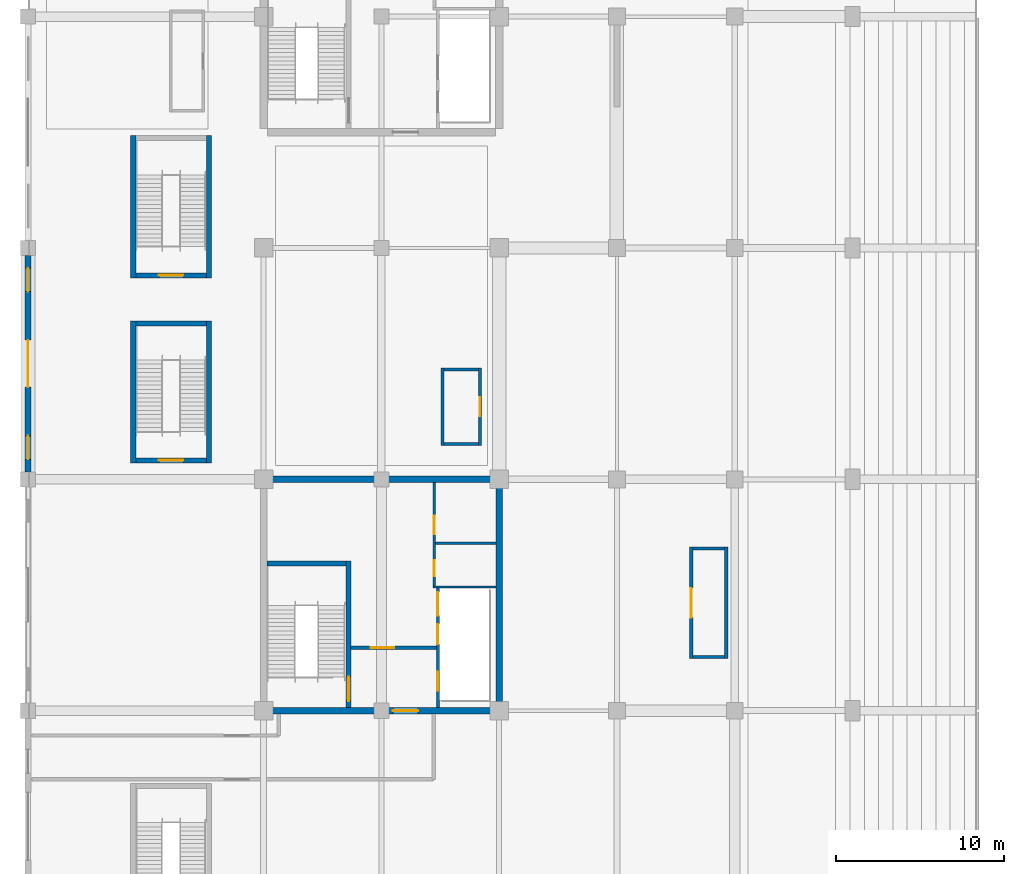
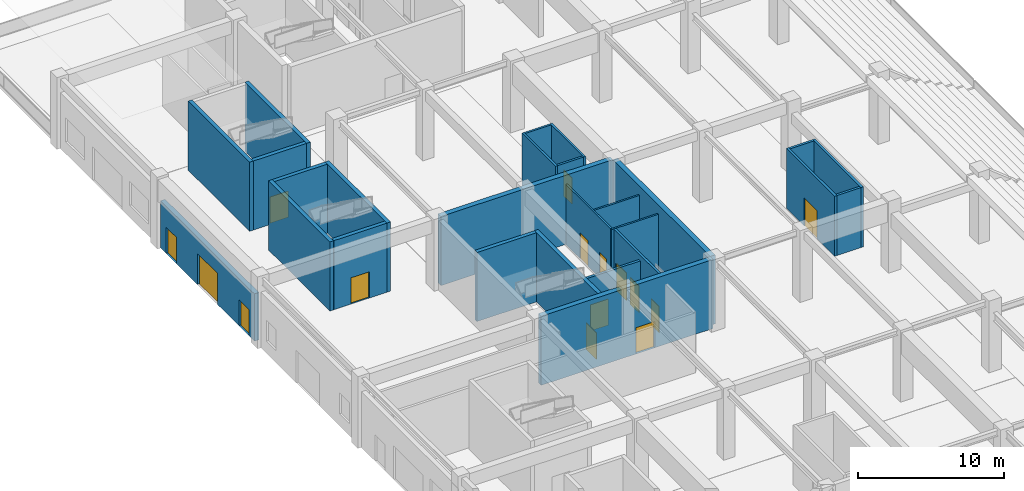
# One storey, part 42 of 73: 26 walls, 15 doors, 15 openings.
"""IFC4 building model written with IfcOpenShell, lengths in metres."""

from ifc_helpers import new_model, si_unit, direction, frame, frame_2d, origin, place, context, subcontext, project, spatial, rectangle, extrude, material, layer, layer_set, type_object, element, fill, save


model = new_model("IFC4")

# Units and contexts
model_context = context("Model", 3, precision=1e-05, world=origin(), true_north=direction((0.0, 1.0)))
body_context = subcontext(model_context, "Body", "Model", "MODEL_VIEW")
ifc_project = project(units=[si_unit("LENGTHUNIT", "METRE"), si_unit("AREAUNIT", "SQUARE_METRE"), si_unit("VOLUMEUNIT", "CUBIC_METRE"), si_unit("PLANEANGLEUNIT", "RADIAN"), si_unit("MASSUNIT", "GRAM", prefix="KILO")], contexts=[model_context])

# Site, building, storey
site_placement = place(None, origin())
site = spatial("IfcSite", under=ifc_project, at=site_placement, CompositionType="ELEMENT")
building_placement = place(site_placement, origin())
building = spatial("IfcBuilding", under=site, at=building_placement, Name="Linyun Crest Stadium", CompositionType="ELEMENT")
storey_placement = place(building_placement, origin())
storey = spatial("IfcBuildingStorey", under=building, at=storey_placement, Name="L01", CompositionType="ELEMENT", Elevation=0.0)

# Wall
ifc_material_1 = material(Name="Concrete C50", Category="concrete")
ifc_layer_1 = layer(ifc_material_1, 0.39990234375)
ifc_layer_set_1 = layer_set([ifc_layer_1], Name="Concrete C50")
wall_type_1 = type_object("IfcWallType", Name="CW02", PredefinedType="SHEAR", material=ifc_layer_set_1)
wall_1_placement = place(storey_placement, frame((-70.0, 2.324951171875, 0.0), z_axis=(0.0, 0.0, 1.0), x_axis=(0.0, 1.0, 0.0)))
element("IfcWall", 1, at=wall_1_placement, inside=storey, type_object=wall_type_1, Name="Core shear wall CW02 CORE-W2 L01.2", PredefinedType="SHEAR", context=body_context, shape_type="SweptSolid", body=[
    extrude(rectangle(XDim=13.35009765625, YDim=0.39990234375, at=frame_2d((6.675048828125, 0.0))), origin(), (0.0, 0.0, 1.0), 5.780029296875),
])

# Wall, opening, door
wall_2_placement = place(storey_placement, frame((-83.800048828125, 2.125, 0.0), z_axis=(0.0, 0.0, 1.0), x_axis=(1.0, 0.0, 0.0)))
wall_2 = element("IfcWall", 2, at=wall_2_placement, inside=storey, type_object=wall_type_1, Name="Core shear wall CW02 CORE-W2 L01.3", PredefinedType="SHEAR", context=body_context, shape_type="SweptSolid", body=[
    extrude(rectangle(XDim=13.60009765625, YDim=0.39990234375, at=frame_2d((6.800048828125, 0.0))), origin(), (0.0, 0.0, 1.0), 5.780029296875),
])
opening_1_placement = place(wall_2_placement, frame((7.47998046875, 0.0, 0.0)))
opening_1 = element("IfcOpeningElement", 3, at=opening_1_placement, cuts=wall_2, Name="Opening D-L01-058", PredefinedType="OPENING", context=body_context, shape_type="SweptSolid", body=[
    extrude(rectangle(XDim=1.5, YDim=2.199951171875, at=frame_2d((0.75, 1.10009765625))), frame((0.0, 0.2099609375, 0.0), z_axis=(0.0, -1.0, 0.0), x_axis=(1.0, 0.0, 0.0)), (0.0, 0.0, 1.0), 0.419921875),
])
ifc_material_2 = material(Name="Galvanized steel Class A fire door", Category="steel")
ifc_layer_2 = layer(ifc_material_2, 0.054931640625)
ifc_layer_set_2 = layer_set([ifc_layer_2], Name="Galvanized steel Class A fire door")
door_type_1 = type_object("IfcDoorType", Name="FD01", OperationType="NOTDEFINED", PredefinedType="DOOR", material=ifc_layer_set_2)
door_1_placement = place(opening_1_placement, origin())
door_1 = element("IfcDoor", 4, at=door_1_placement, inside=storey, type_object=door_type_1, Name="Door D-L01-058", OperationType="SINGLE_SWING_RIGHT", OverallHeight=2.199951171875, OverallWidth=1.5, PredefinedType="DOOR", context=body_context, shape_type="SweptSolid", body=[
    extrude(rectangle(XDim=1.5, YDim=2.199951171875, at=frame_2d((0.75, 1.10009765625))), frame((0.0, 0.02490234375, 0.0), z_axis=(0.0, -1.0, 0.0), x_axis=(1.0, 0.0, 0.0)), (0.0, 0.0, 1.0), 0.050048828125),
])
fill(opening_1, door_1)

# Wall
wall_3_placement = place(storey_placement, frame((-83.800048828125, 15.875, 0.0), z_axis=(0.0, 0.0, 1.0), x_axis=(1.0, 0.0, 0.0)))
element("IfcWall", 5, at=wall_3_placement, inside=storey, type_object=wall_type_1, Name="Core shear wall CW02 CORE-W2 L01.4", PredefinedType="SHEAR", context=body_context, shape_type="SweptSolid", body=[
    extrude(rectangle(XDim=13.60009765625, YDim=0.39990234375, at=frame_2d((6.800048828125, 0.0))), origin(), (0.0, 0.0, 1.0), 5.780029296875),
])

# Wall, openings, doors
ifc_material_3 = material(Name="Precast concrete C40 architectural plinth panel", Category="concrete")
ifc_layer_3 = layer(ifc_material_3, 0.360107421875)
ifc_layer_set_3 = layer_set([ifc_layer_3], Name="Precast concrete C40 architectural plinth panel")
wall_type_2 = type_object("IfcWallType", Name="EW06", PredefinedType="SOLIDWALL", material=ifc_layer_set_3)
wall_4_placement = place(storey_placement, frame((-98.0, 16.31494140625, 0.0), z_axis=(0.0, 0.0, 1.0), x_axis=(0.0, 1.0, 0.0)))
wall_4 = element("IfcWall", 6, at=wall_4_placement, inside=storey, type_object=wall_type_2, Name="Exterior wall EW06 L01 18", PredefinedType="SOLIDWALL", context=body_context, shape_type="SweptSolid", body=[
    extrude(rectangle(XDim=12.8701171875, YDim=0.360107421875, at=frame_2d((6.43505859375, 0.0))), origin(), (0.0, 0.0, 1.0), 3.955078125),
])
opening_2_placement = place(wall_4_placement, frame((5.034912109375, 0.0, 0.0)))
opening_2 = element("IfcOpeningElement", 7, at=opening_2_placement, cuts=wall_4, Name="Opening G03", PredefinedType="OPENING", context=body_context, shape_type="SweptSolid", body=[
    extrude(rectangle(XDim=2.800048828125, YDim=2.60009765625, at=frame_2d((1.39990234375, 1.300048828125))), frame((0.0, 0.18994140625, 0.0), z_axis=(0.0, -1.0, 0.0), x_axis=(1.0, 0.0, 0.0)), (0.0, 0.0, 1.0), 0.380126953125),
])
opening_3_placement = place(wall_4_placement, frame((0.75, 0.0, 0.0)))
opening_3 = element("IfcOpeningElement", 8, at=opening_3_placement, cuts=wall_4, Name="Opening E-ST16", PredefinedType="OPENING", context=body_context, shape_type="SweptSolid", body=[
    extrude(rectangle(XDim=1.39990234375, YDim=2.199951171875, at=frame_2d((0.699951171875, 1.10009765625))), frame((0.0, 0.18994140625, 0.0), z_axis=(0.0, -1.0, 0.0), x_axis=(1.0, 0.0, 0.0)), (0.0, 0.0, 1.0), 0.380126953125),
])
opening_4_placement = place(wall_4_placement, frame((10.719970703125, 0.0, 0.0)))
opening_4 = element("IfcOpeningElement", 9, at=opening_4_placement, cuts=wall_4, Name="Opening E-ST17", PredefinedType="OPENING", context=body_context, shape_type="SweptSolid", body=[
    extrude(rectangle(XDim=1.39990234375, YDim=2.199951171875, at=frame_2d((0.699951171875, 1.10009765625))), frame((0.0, 0.18994140625, 0.0), z_axis=(0.0, -1.0, 0.0), x_axis=(1.0, 0.0, 0.0)), (0.0, 0.0, 1.0), 0.380126953125),
])
ifc_material_4 = material(Name="Galvanized fire-rated steel leaf", Category="steel")
ifc_layer_4 = layer(ifc_material_4, 0.054931640625)
ifc_layer_set_4 = layer_set([ifc_layer_4], Name="Galvanized fire-rated steel leaf")
door_type_2 = type_object("IfcDoorType", Name="FD09", OperationType="NOTDEFINED", PredefinedType="DOOR", material=ifc_layer_set_4)
door_2_placement = place(opening_3_placement, origin())
door_2 = element("IfcDoor", 10, at=door_2_placement, inside=storey, type_object=door_type_2, Name="Stair discharge exit E-ST16", OperationType="SINGLE_SWING_RIGHT", OverallHeight=2.199951171875, OverallWidth=1.39990234375, PredefinedType="DOOR", context=body_context, shape_type="SweptSolid", body=[
    extrude(rectangle(XDim=1.39990234375, YDim=2.199951171875, at=frame_2d((0.699951171875, 1.10009765625))), frame((0.0, 0.02490234375, 0.0), z_axis=(0.0, -1.0, 0.0), x_axis=(1.0, 0.0, 0.0)), (0.0, 0.0, 1.0), 0.050048828125),
])
fill(opening_3, door_2)
door_3_placement = place(opening_4_placement, origin())
door_3 = element("IfcDoor", 11, at=door_3_placement, inside=storey, type_object=door_type_2, Name="Stair discharge exit E-ST17", OperationType="SINGLE_SWING_LEFT", OverallHeight=2.199951171875, OverallWidth=1.39990234375, PredefinedType="DOOR", context=body_context, shape_type="SweptSolid", body=[
    extrude(rectangle(XDim=1.39990234375, YDim=2.199951171875, at=frame_2d((0.699951171875, 1.10009765625))), frame((0.0, 0.02490234375, 0.0), z_axis=(0.0, -1.0, 0.0), x_axis=(1.0, 0.0, 0.0)), (0.0, 0.0, 1.0), 0.050048828125),
])
fill(opening_4, door_3)
ifc_material_5 = material(Name="Verdigris painted steel botanical gate", Category="steel")
ifc_layer_5 = layer(ifc_material_5, 0.054931640625)
ifc_layer_set_5 = layer_set([ifc_layer_5], Name="Verdigris painted steel botanical gate")
door_type_3 = type_object("IfcDoorType", Name="GD03", OperationType="NOTDEFINED", PredefinedType="DOOR", material=ifc_layer_set_5)
door_4_placement = place(opening_2_placement, origin())
door_4 = element("IfcDoor", 12, at=door_4_placement, inside=storey, type_object=door_type_3, Name="Pedestrian exit gate G03", OperationType="DOUBLE_DOOR_SINGLE_SWING", OverallHeight=2.60009765625, OverallWidth=2.800048828125, PredefinedType="DOOR", context=body_context, shape_type="SweptSolid", body=[
    extrude(rectangle(XDim=2.800048828125, YDim=2.60009765625, at=frame_2d((1.39990234375, 1.300048828125))), frame((0.0, 0.02490234375, 0.0), z_axis=(0.0, -1.0, 0.0), x_axis=(1.0, 0.0, 0.0)), (0.0, 0.0, 1.0), 0.050048828125),
])
fill(opening_2, door_4)

# Wall, opening, door
ifc_material_6 = material(Name="Autoclaved aerated concrete block with fireboard", Category="concrete")
ifc_layer_6 = layer(ifc_material_6, 0.199951171875)
ifc_layer_set_6 = layer_set([ifc_layer_6], Name="Autoclaved aerated concrete block with fireboard")
wall_type_3 = type_object("IfcWallType", Name="PW11", PredefinedType="PARTITIONING", material=ifc_layer_set_6)
wall_5_placement = place(storey_placement, frame((-78.800048828125, 5.875, 0.0), z_axis=(0.0, 0.0, 1.0), x_axis=(1.0, 0.0, 0.0)))
wall_5 = element("IfcWall", 13, at=wall_5_placement, inside=storey, type_object=wall_type_3, Name="Partition PW11 L01 25", PredefinedType="PARTITIONING", context=body_context, shape_type="SweptSolid", body=[
    extrude(rectangle(XDim=5.06005859375, YDim=0.199951171875, at=frame_2d((2.530029296875, 0.0))), origin(), (0.0, 0.0, 1.0), 4.554931640625),
])
opening_5_placement = place(wall_5_placement, frame((1.169921875, 0.0, 0.0)))
opening_5 = element("IfcOpeningElement", 14, at=opening_5_placement, cuts=wall_5, Name="Opening D-L01-060", PredefinedType="OPENING", context=body_context, shape_type="SweptSolid", body=[
    extrude(rectangle(XDim=1.39990234375, YDim=2.199951171875, at=frame_2d((0.699951171875, 1.10009765625))), frame((0.0, 0.10986328125, 0.0), z_axis=(0.0, -1.0, 0.0), x_axis=(1.0, 0.0, 0.0)), (0.0, 0.0, 1.0), 0.219970703125),
])
ifc_material_7 = material(Name="Galvanized steel Class B fire door", Category="steel")
ifc_layer_7 = layer(ifc_material_7, 0.054931640625)
ifc_layer_set_7 = layer_set([ifc_layer_7], Name="Galvanized steel Class B fire door")
door_type_4 = type_object("IfcDoorType", Name="FD03", OperationType="NOTDEFINED", PredefinedType="DOOR", material=ifc_layer_set_7)
door_5_placement = place(opening_5_placement, origin())
door_5 = element("IfcDoor", 15, at=door_5_placement, inside=storey, type_object=door_type_4, Name="Door D-L01-060", OperationType="SINGLE_SWING_RIGHT", OverallHeight=2.199951171875, OverallWidth=1.39990234375, PredefinedType="DOOR", context=body_context, shape_type="SweptSolid", body=[
    extrude(rectangle(XDim=1.39990234375, YDim=2.199951171875, at=frame_2d((0.699951171875, 1.10009765625))), frame((0.0, 0.02490234375, 0.0), z_axis=(0.0, -1.0, 0.0), x_axis=(1.0, 0.0, 0.0)), (0.0, 0.0, 1.0), 0.050048828125),
])
fill(opening_5, door_5)

# Wall, openings, doors
ifc_material_8 = material(Name="Autoclaved aerated concrete block fire partition", Category="concrete")
ifc_layer_8 = layer(ifc_material_8, 0.179931640625)
ifc_layer_set_8 = layer_set([ifc_layer_8], Name="Autoclaved aerated concrete block fire partition")
wall_type_4 = type_object("IfcWallType", Name="PW12", PredefinedType="PARTITIONING", material=ifc_layer_set_8)
wall_6_placement = place(storey_placement, frame((-73.64990234375, 2.324951171875, 0.0), z_axis=(0.0, 0.0, 1.0), x_axis=(0.0, 1.0, 0.0)))
wall_6 = element("IfcWall", 16, at=wall_6_placement, inside=storey, type_object=wall_type_4, Name="Partition PW12 L01 26", PredefinedType="PARTITIONING", context=body_context, shape_type="SweptSolid", body=[
    extrude(rectangle(XDim=7.080078125, YDim=0.179931640625, at=frame_2d((3.5400390625, 0.0))), origin(), (0.0, 0.0, 1.0), 5.02001953125),
])
opening_6_placement = place(wall_6_placement, frame((1.0, 0.0, 0.0)))
opening_6 = element("IfcOpeningElement", 17, at=opening_6_placement, cuts=wall_6, Name="Opening LD018", PredefinedType="OPENING", context=body_context, shape_type="SweptSolid", body=[
    extrude(rectangle(XDim=1.10009765625, YDim=2.199951171875, at=frame_2d((0.550048828125, 1.10009765625))), frame((0.0, 0.099853515625, 0.0), z_axis=(0.0, -1.0, 0.0), x_axis=(1.0, 0.0, 0.0)), (0.0, 0.0, 1.0), 0.199951171875),
])
opening_7_placement = place(wall_6_placement, frame((3.75, 0.0, 0.0)))
opening_7 = element("IfcOpeningElement", 18, at=opening_7_placement, cuts=wall_6, Name="Opening LD019", PredefinedType="OPENING", context=body_context, shape_type="SweptSolid", body=[
    extrude(rectangle(XDim=1.199951171875, YDim=2.25, at=frame_2d((0.60009765625, 1.125))), frame((0.0, 0.099853515625, 0.0), z_axis=(0.0, -1.0, 0.0), x_axis=(1.0, 0.0, 0.0)), (0.0, 0.0, 1.0), 0.199951171875),
])
opening_8_placement = place(wall_6_placement, frame((5.449951171875, 0.0, 0.0)))
opening_8 = element("IfcOpeningElement", 19, at=opening_8_placement, cuts=wall_6, Name="Opening LD020", PredefinedType="OPENING", context=body_context, shape_type="SweptSolid", body=[
    extrude(rectangle(XDim=1.39990234375, YDim=2.300048828125, at=frame_2d((0.699951171875, 1.14990234375))), frame((0.0, 0.099853515625, 0.0), z_axis=(0.0, -1.0, 0.0), x_axis=(1.0, 0.0, 0.0)), (0.0, 0.0, 1.0), 0.199951171875),
])
ifc_material_9 = material(Name="Brushed stainless sliding lift door")
ifc_layer_9 = layer(ifc_material_9, 0.050048828125)
ifc_layer_set_9 = layer_set([ifc_layer_9], Name="Brushed stainless sliding lift door")
door_type_5 = type_object("IfcDoorType", Name="LD01", OperationType="NOTDEFINED", PredefinedType="DOOR", material=ifc_layer_set_9)
door_6_placement = place(opening_6_placement, origin())
door_6 = element("IfcDoor", 20, at=door_6_placement, inside=storey, type_object=door_type_5, Name="Lift landing door LD018", OperationType="DOUBLE_DOOR_SLIDING", OverallHeight=2.199951171875, OverallWidth=1.10009765625, PredefinedType="DOOR", context=body_context, shape_type="SweptSolid", body=[
    extrude(rectangle(XDim=1.10009765625, YDim=2.199951171875, at=frame_2d((0.550048828125, 1.10009765625))), frame((0.0, 0.02490234375, 0.0), z_axis=(0.0, -1.0, 0.0), x_axis=(1.0, 0.0, 0.0)), (0.0, 0.0, 1.0), 0.050048828125),
])
fill(opening_6, door_6)
ifc_material_10 = material(Name="Brushed stainless sliding lift door")
ifc_layer_10 = layer(ifc_material_10, 0.050048828125)
ifc_layer_set_10 = layer_set([ifc_layer_10], Name="Brushed stainless sliding lift door")
door_type_6 = type_object("IfcDoorType", Name="LD02", OperationType="NOTDEFINED", PredefinedType="DOOR", material=ifc_layer_set_10)
door_7_placement = place(opening_7_placement, origin())
door_7 = element("IfcDoor", 21, at=door_7_placement, inside=storey, type_object=door_type_6, Name="Lift landing door LD019", OperationType="DOUBLE_DOOR_SLIDING", OverallHeight=2.25, OverallWidth=1.199951171875, PredefinedType="DOOR", context=body_context, shape_type="SweptSolid", body=[
    extrude(rectangle(XDim=1.199951171875, YDim=2.25, at=frame_2d((0.60009765625, 1.125))), frame((0.0, 0.02490234375, 0.0), z_axis=(0.0, -1.0, 0.0), x_axis=(1.0, 0.0, 0.0)), (0.0, 0.0, 1.0), 0.050048828125),
])
fill(opening_7, door_7)
ifc_material_11 = material(Name="Heavy-duty stainless sliding door")
ifc_layer_11 = layer(ifc_material_11, 0.054931640625)
ifc_layer_set_11 = layer_set([ifc_layer_11], Name="Heavy-duty stainless sliding door")
door_type_7 = type_object("IfcDoorType", Name="LD03", OperationType="NOTDEFINED", PredefinedType="DOOR", material=ifc_layer_set_11)
door_8_placement = place(opening_8_placement, origin())
door_8 = element("IfcDoor", 22, at=door_8_placement, inside=storey, type_object=door_type_7, Name="Lift landing door LD020", OperationType="DOUBLE_DOOR_SLIDING", OverallHeight=2.300048828125, OverallWidth=1.39990234375, PredefinedType="DOOR", context=body_context, shape_type="SweptSolid", body=[
    extrude(rectangle(XDim=1.39990234375, YDim=2.300048828125, at=frame_2d((0.699951171875, 1.14990234375))), frame((0.0, 0.02490234375, 0.0), z_axis=(0.0, -1.0, 0.0), x_axis=(1.0, 0.0, 0.0)), (0.0, 0.0, 1.0), 0.050048828125),
])
fill(opening_8, door_8)

# Wall, opening, door
ifc_material_12 = material(Name="Double steel-stud acoustic fire partition", Category="steel")
ifc_layer_12 = layer(ifc_material_12, 0.1650390625)
ifc_layer_set_12 = layer_set([ifc_layer_12], Name="Double steel-stud acoustic fire partition")
wall_type_5 = type_object("IfcWallType", Name="PW13", PredefinedType="PARTITIONING", material=ifc_layer_set_12)
wall_7_placement = place(storey_placement, frame((-71.14306640625, 22.486083984375, 0.0), z_axis=(0.0, 0.0, 1.0), x_axis=(0.0, -1.0, 0.0)))
wall_7 = element("IfcWall", 23, at=wall_7_placement, inside=storey, type_object=wall_type_5, Name="Partition PW13 L01 164", PredefinedType="PARTITIONING", context=body_context, shape_type="SweptSolid", body=[
    extrude(rectangle(XDim=4.60009765625, YDim=0.1650390625, at=frame_2d((2.300048828125, 0.0))), origin(), (0.0, 0.0, 1.0), 5.02001953125),
])
opening_9_placement = place(wall_7_placement, frame((1.72509765625, 0.0, 0.0)))
opening_9 = element("IfcOpeningElement", 24, at=opening_9_placement, cuts=wall_7, Name="Opening D-L01-427", PredefinedType="OPENING", context=body_context, shape_type="SweptSolid", body=[
    extrude(rectangle(XDim=1.14990234375, YDim=2.199951171875, at=frame_2d((0.574951171875, 1.10009765625))), frame((0.0, 0.092529296875, 0.0), z_axis=(0.0, -1.0, 0.0), x_axis=(1.0, 0.0, 0.0)), (0.0, 0.0, 1.0), 0.18505859375),
])
ifc_material_13 = material(Name="Solid timber acoustic door", Category="wood")
ifc_layer_13 = layer(ifc_material_13, 0.050048828125)
ifc_layer_set_13 = layer_set([ifc_layer_13], Name="Solid timber acoustic door")
door_type_8 = type_object("IfcDoorType", Name="ID15", OperationType="NOTDEFINED", PredefinedType="DOOR", material=ifc_layer_set_13)
door_9_placement = place(opening_9_placement, origin())
door_9 = element("IfcDoor", 25, at=door_9_placement, inside=storey, type_object=door_type_8, Name="Door D-L01-427", OperationType="SINGLE_SWING_LEFT", OverallHeight=2.199951171875, OverallWidth=1.14990234375, PredefinedType="DOOR", context=body_context, shape_type="SweptSolid", body=[
    extrude(rectangle(XDim=1.14990234375, YDim=2.199951171875, at=frame_2d((0.574951171875, 1.10009765625))), frame((0.0, 0.02490234375, 0.0), z_axis=(0.0, -1.0, 0.0), x_axis=(1.0, 0.0, 0.0)), (0.0, 0.0, 1.0), 0.050048828125),
])
fill(opening_9, door_9)

# Walls
wall_8_placement = place(storey_placement, frame((-73.363037109375, 17.885986328125, 0.0), z_axis=(0.0, 0.0, 1.0), x_axis=(0.0, 1.0, 0.0)))
element("IfcWall", 26, at=wall_8_placement, inside=storey, type_object=wall_type_5, Name="Enclosure partition PW13 L01 208", PredefinedType="PARTITIONING", context=body_context, shape_type="SweptSolid", body=[
    extrude(rectangle(XDim=4.60009765625, YDim=0.1650390625, at=frame_2d((2.300048828125, 0.0))), origin(), (0.0, 0.0, 1.0), 5.02001953125),
])
for number, where, z_axis, x_axis, name in (
    (27, (-73.280029296875, 17.968994140625, 0.0), (0.0, 0.0, 1.0), (1.0, 0.0, 0.0), "Enclosure partition PW13 L01 209"),
    (28, (-73.280029296875, 22.403076171875, 0.0), (0.0, 0.0, 1.0), (1.0, 0.0, 0.0), "Enclosure partition PW13 L01 210"),
):
    element("IfcWall", number, at=place(storey_placement, frame(where, z_axis=z_axis, x_axis=x_axis)), inside=storey, type_object=wall_type_5, Name=name, PredefinedType="PARTITIONING", context=body_context, shape_type="SweptSolid", body=[
        extrude(rectangle(XDim=2.053955078125, YDim=0.1650390625, at=frame_2d((1.02685546875, 0.0))), origin(), (0.0, 0.0, 1.0), 5.02001953125),
    ])

# Wall, openings, doors
ifc_material_14 = material(Name="Moisture-resistant ceramic-tiled wet-room wall")
ifc_layer_14 = layer(ifc_material_14, 0.139892578125)
ifc_layer_set_14 = layer_set([ifc_layer_14], Name="Moisture-resistant ceramic-tiled wet-room wall")
wall_type_6 = type_object("IfcWallType", Name="PW15", PredefinedType="PARTITIONING", material=ifc_layer_set_14)
wall_9_placement = place(storey_placement, frame((-73.85009765625, 9.544921875, 0.0), z_axis=(0.0, 0.0, 1.0), x_axis=(0.0, 1.0, 0.0)))
wall_9 = element("IfcWall", 29, at=wall_9_placement, inside=storey, type_object=wall_type_6, Name="Partition PW15 L01 27", PredefinedType="PARTITIONING", context=body_context, shape_type="SweptSolid", body=[
    extrude(rectangle(XDim=6.130126953125, YDim=0.139892578125, at=frame_2d((3.06494140625, 0.0))), origin(), (0.0, 0.0, 1.0), 5.02001953125),
])
opening_10_placement = place(wall_9_placement, frame((0.580078125, 0.0, 0.0)))
opening_10 = element("IfcOpeningElement", 30, at=opening_10_placement, cuts=wall_9, Name="Opening D-L01-064", PredefinedType="OPENING", context=body_context, shape_type="SweptSolid", body=[
    extrude(rectangle(XDim=0.949951171875, YDim=2.14990234375, at=frame_2d((0.47509765625, 1.074951171875))), frame((0.0, 0.079833984375, 0.0), z_axis=(0.0, -1.0, 0.0), x_axis=(1.0, 0.0, 0.0)), (0.0, 0.0, 1.0), 0.159912109375),
])
opening_11_placement = place(wall_9_placement, frame((3.080078125, 0.0, 0.0)))
opening_11 = element("IfcOpeningElement", 31, at=opening_11_placement, cuts=wall_9, Name="Opening D-L01-065", PredefinedType="OPENING", context=body_context, shape_type="SweptSolid", body=[
    extrude(rectangle(XDim=1.10009765625, YDim=2.14990234375, at=frame_2d((0.550048828125, 1.074951171875))), frame((0.0, 0.079833984375, 0.0), z_axis=(0.0, -1.0, 0.0), x_axis=(1.0, 0.0, 0.0)), (0.0, 0.0, 1.0), 0.159912109375),
])
ifc_material_15 = material(Name="Moisture-resistant laminate leaf")
ifc_layer_15 = layer(ifc_material_15, 0.044921875)
ifc_layer_set_15 = layer_set([ifc_layer_15], Name="Moisture-resistant laminate leaf")
door_type_9 = type_object("IfcDoorType", Name="ID02", OperationType="NOTDEFINED", PredefinedType="DOOR", material=ifc_layer_set_15)
door_10_placement = place(opening_10_placement, origin())
door_10 = element("IfcDoor", 32, at=door_10_placement, inside=storey, type_object=door_type_9, Name="Door D-L01-064", OperationType="SINGLE_SWING_RIGHT", OverallHeight=2.14990234375, OverallWidth=0.949951171875, PredefinedType="DOOR", context=body_context, shape_type="SweptSolid", body=[
    extrude(rectangle(XDim=0.949951171875, YDim=2.14990234375, at=frame_2d((0.47509765625, 1.074951171875))), frame((0.0, 0.02490234375, 0.0), z_axis=(0.0, -1.0, 0.0), x_axis=(1.0, 0.0, 0.0)), (0.0, 0.0, 1.0), 0.050048828125),
])
fill(opening_10, door_10)
ifc_material_16 = material(Name="Moisture-resistant laminate leaf")
ifc_layer_16 = layer(ifc_material_16, 0.044921875)
ifc_layer_set_16 = layer_set([ifc_layer_16], Name="Moisture-resistant laminate leaf")
door_type_10 = type_object("IfcDoorType", Name="ID03", OperationType="NOTDEFINED", PredefinedType="DOOR", material=ifc_layer_set_16)
door_11_placement = place(opening_11_placement, origin())
door_11 = element("IfcDoor", 33, at=door_11_placement, inside=storey, type_object=door_type_10, Name="Door D-L01-065", OperationType="SINGLE_SWING_LEFT", OverallHeight=2.14990234375, OverallWidth=1.10009765625, PredefinedType="DOOR", context=body_context, shape_type="SweptSolid", body=[
    extrude(rectangle(XDim=1.10009765625, YDim=2.14990234375, at=frame_2d((0.550048828125, 1.074951171875))), frame((0.0, 0.02490234375, 0.0), z_axis=(0.0, -1.0, 0.0), x_axis=(1.0, 0.0, 0.0)), (0.0, 0.0, 1.0), 0.050048828125),
])
fill(opening_11, door_11)

# Walls
wall_10_placement = place(storey_placement, frame((-73.919921875, 9.47509765625, 0.0), z_axis=(0.0, 0.0, 1.0), x_axis=(1.0, 0.0, 0.0)))
element("IfcWall", 34, at=wall_10_placement, inside=storey, type_object=wall_type_6, Name="Enclosure partition PW15 L01 17", PredefinedType="PARTITIONING", context=body_context, shape_type="SweptSolid", body=[
    extrude(rectangle(XDim=3.719970703125, YDim=0.139892578125, at=frame_2d((1.85986328125, 0.0))), origin(), (0.0, 0.0, 1.0), 5.02001953125),
])
wall_11_placement = place(storey_placement, frame((-73.780029296875, 12.074951171875, 0.0), z_axis=(0.0, 0.0, 1.0), x_axis=(1.0, 0.0, 0.0)))
element("IfcWall", 35, at=wall_11_placement, inside=storey, type_object=wall_type_6, Name="Enclosure partition PW15 L01 18", PredefinedType="PARTITIONING", context=body_context, shape_type="SweptSolid", body=[
    extrude(rectangle(XDim=3.580078125, YDim=0.139892578125, at=frame_2d((1.7900390625, 0.0))), origin(), (0.0, 0.0, 1.0), 5.02001953125),
])

# Wall, opening, door
ifc_material_17 = material(Name="Ticketing hall security partition")
ifc_layer_17 = layer(ifc_material_17, 0.18994140625)
ifc_layer_set_17 = layer_set([ifc_layer_17], Name="Ticketing hall security partition")
wall_type_7 = type_object("IfcWallType", Name="PW25", PredefinedType="PARTITIONING", material=ifc_layer_set_17)
wall_12_placement = place(storey_placement, frame((-58.58203125, 5.220947265625, 0.0), z_axis=(0.0, 0.0, 1.0), x_axis=(0.0, 1.0, 0.0)))
wall_12 = element("IfcWall", 36, at=wall_12_placement, inside=storey, type_object=wall_type_7, Name="Partition PW25 L01 162", PredefinedType="PARTITIONING", context=body_context, shape_type="SweptSolid", body=[
    extrude(rectangle(XDim=6.630126953125, YDim=0.18994140625, at=frame_2d((3.31494140625, 0.0))), origin(), (0.0, 0.0, 1.0), 5.02001953125),
])
opening_12_placement = place(wall_12_placement, frame((2.43994140625, 0.0, 0.0)))
opening_12 = element("IfcOpeningElement", 37, at=opening_12_placement, cuts=wall_12, Name="Opening D-L01-425", PredefinedType="OPENING", context=body_context, shape_type="SweptSolid", body=[
    extrude(rectangle(XDim=1.75, YDim=2.35009765625, at=frame_2d((0.875, 1.175048828125))), frame((0.0, 0.10498046875, 0.0), z_axis=(0.0, -1.0, 0.0), x_axis=(1.0, 0.0, 0.0)), (0.0, 0.0, 1.0), 0.2099609375),
])
ifc_material_18 = material(Name="Art Nouveau brass-inlaid double door")
ifc_layer_18 = layer(ifc_material_18, 0.054931640625)
ifc_layer_set_18 = layer_set([ifc_layer_18], Name="Art Nouveau brass-inlaid double door")
door_type_11 = type_object("IfcDoorType", Name="ID13", OperationType="NOTDEFINED", PredefinedType="DOOR", material=ifc_layer_set_18)
door_12_placement = place(opening_12_placement, origin())
door_12 = element("IfcDoor", 38, at=door_12_placement, inside=storey, type_object=door_type_11, Name="Door D-L01-425", OperationType="DOUBLE_DOOR_SINGLE_SWING", OverallHeight=2.35009765625, OverallWidth=1.75, PredefinedType="DOOR", context=body_context, shape_type="SweptSolid", body=[
    extrude(rectangle(XDim=1.75, YDim=2.35009765625, at=frame_2d((0.875, 1.175048828125))), frame((0.0, 0.02490234375, 0.0), z_axis=(0.0, -1.0, 0.0), x_axis=(1.0, 0.0, 0.0)), (0.0, 0.0, 1.0), 0.050048828125),
])
fill(opening_12, door_12)

# Walls
wall_13_placement = place(storey_placement, frame((-56.501953125, 5.220947265625, 0.0), z_axis=(0.0, 0.0, 1.0), x_axis=(0.0, 1.0, 0.0)))
element("IfcWall", 39, at=wall_13_placement, inside=storey, type_object=wall_type_7, Name="Enclosure partition PW25 L01 202", PredefinedType="PARTITIONING", context=body_context, shape_type="SweptSolid", body=[
    extrude(rectangle(XDim=6.630126953125, YDim=0.18994140625, at=frame_2d((3.31494140625, 0.0))), origin(), (0.0, 0.0, 1.0), 5.02001953125),
])
for number, where, z_axis, x_axis, name in (
    (40, (-58.487060546875, 5.31591796875, 0.0), (0.0, 0.0, 1.0), (1.0, 0.0, 0.0), "Enclosure partition PW25 L01 203"),
    (41, (-58.487060546875, 11.756103515625, 0.0), (0.0, 0.0, 1.0), (1.0, 0.0, 0.0), "Enclosure partition PW25 L01 204"),
):
    element("IfcWall", number, at=place(storey_placement, frame(where, z_axis=z_axis, x_axis=x_axis)), inside=storey, type_object=wall_type_7, Name=name, PredefinedType="PARTITIONING", context=body_context, shape_type="SweptSolid", body=[
        extrude(rectangle(XDim=1.89013671875, YDim=0.18994140625, at=frame_2d((0.945068359375, 0.0))), origin(), (0.0, 0.0, 1.0), 5.02001953125),
    ])

# Wall, opening, door
ifc_material_19 = material(Name="Concrete C50", Category="concrete")
ifc_layer_19 = layer(ifc_material_19, 0.300048828125)
ifc_layer_set_19 = layer_set([ifc_layer_19], Name="Concrete C50")
wall_type_8 = type_object("IfcWallType", Name="SW01", PredefinedType="SHEAR", material=ifc_layer_set_19)
wall_14_placement = place(storey_placement, frame((-78.949951171875, 2.324951171875, 0.0), z_axis=(0.0, 0.0, 1.0), x_axis=(0.0, 1.0, 0.0)))
wall_14 = element("IfcWall", 42, at=wall_14_placement, inside=storey, type_object=wall_type_8, Name="Core stair east bearing wall SW01 2 L01", PredefinedType="SHEAR", context=body_context, shape_type="SweptSolid", body=[
    extrude(rectangle(XDim=8.699951171875, YDim=0.300048828125, at=frame_2d((4.35009765625, 0.0))), origin(), (0.0, 0.0, 1.0), 5.780029296875),
])
opening_13_placement = place(wall_14_placement, frame((0.3701171875, 0.0, 0.0)))
opening_13 = element("IfcOpeningElement", 43, at=opening_13_placement, cuts=wall_14, Name="Opening D-L01-059", PredefinedType="OPENING", context=body_context, shape_type="SweptSolid", body=[
    extrude(rectangle(XDim=1.449951171875, YDim=2.199951171875, at=frame_2d((0.72509765625, 1.10009765625))), frame((0.0, 0.159912109375, 0.0), z_axis=(0.0, -1.0, 0.0), x_axis=(1.0, 0.0, 0.0)), (0.0, 0.0, 1.0), 0.320068359375),
])
ifc_material_20 = material(Name="Galvanized steel Class A fire door", Category="steel")
ifc_layer_20 = layer(ifc_material_20, 0.054931640625)
ifc_layer_set_20 = layer_set([ifc_layer_20], Name="Galvanized steel Class A fire door")
door_type_12 = type_object("IfcDoorType", Name="FD02", OperationType="NOTDEFINED", PredefinedType="DOOR", material=ifc_layer_set_20)
door_13_placement = place(opening_13_placement, origin())
door_13 = element("IfcDoor", 44, at=door_13_placement, inside=storey, type_object=door_type_12, Name="Door D-L01-059", OperationType="SINGLE_SWING_LEFT", OverallHeight=2.199951171875, OverallWidth=1.449951171875, PredefinedType="DOOR", context=body_context, shape_type="SweptSolid", body=[
    extrude(rectangle(XDim=1.449951171875, YDim=2.199951171875, at=frame_2d((0.72509765625, 1.10009765625))), frame((0.0, 0.02490234375, 0.0), z_axis=(0.0, -1.0, 0.0), x_axis=(1.0, 0.0, 0.0)), (0.0, 0.0, 1.0), 0.050048828125),
])
fill(opening_13, door_13)

# Wall
wall_15_placement = place(storey_placement, frame((-83.800048828125, 10.875, 0.0), z_axis=(0.0, 0.0, 1.0), x_axis=(1.0, 0.0, 0.0)))
element("IfcWall", 45, at=wall_15_placement, inside=storey, type_object=wall_type_8, Name="Core stair bearing wall SW01 2 L01", PredefinedType="SHEAR", context=body_context, shape_type="SweptSolid", body=[
    extrude(rectangle(XDim=4.699951171875, YDim=0.300048828125, at=frame_2d((2.35009765625, 0.0))), origin(), (0.0, 0.0, 1.0), 5.780029296875),
])

# Wall, opening, door
wall_16_placement = place(storey_placement, frame((-91.60009765625, 17.0, 0.0), z_axis=(0.0, 0.0, 1.0), x_axis=(1.0, 0.0, 0.0)))
wall_16 = element("IfcWall", 46, at=wall_16_placement, inside=storey, type_object=wall_type_8, Name="Stair shaft wall SW01 STR-16 L01 S", PredefinedType="SHEAR", context=body_context, shape_type="SweptSolid", body=[
    extrude(rectangle(XDim=4.2001953125, YDim=0.300048828125, at=frame_2d((2.10009765625, 0.0))), origin(), (0.0, 0.0, 1.0), 5.780029296875),
])
opening_14_placement = place(wall_16_placement, frame((1.375, 0.0, 0.0)))
opening_14 = element("IfcOpeningElement", 47, at=opening_14_placement, cuts=wall_16, Name="Opening D-L01-557", PredefinedType="OPENING", context=body_context, shape_type="SweptSolid", body=[
    extrude(rectangle(XDim=1.449951171875, YDim=2.199951171875, at=frame_2d((0.72509765625, 1.10009765625))), frame((0.0, 0.159912109375, 0.0), z_axis=(0.0, -1.0, 0.0), x_axis=(1.0, 0.0, 0.0)), (0.0, 0.0, 1.0), 0.320068359375),
])
door_14_placement = place(opening_14_placement, origin())
door_14 = element("IfcDoor", 48, at=door_14_placement, inside=storey, type_object=door_type_12, Name="Door D-L01-557", OperationType="SINGLE_SWING_LEFT", OverallHeight=2.199951171875, OverallWidth=1.449951171875, PredefinedType="DOOR", context=body_context, shape_type="SweptSolid", body=[
    extrude(rectangle(XDim=1.449951171875, YDim=2.199951171875, at=frame_2d((0.72509765625, 1.10009765625))), frame((0.0, 0.02490234375, 0.0), z_axis=(0.0, -1.0, 0.0), x_axis=(1.0, 0.0, 0.0)), (0.0, 0.0, 1.0), 0.050048828125),
])
fill(opening_14, door_14)

# Walls
wall_17_placement = place(storey_placement, frame((-91.60009765625, 25.14990234375, 0.0), z_axis=(0.0, 0.0, 1.0), x_axis=(1.0, 0.0, 0.0)))
element("IfcWall", 49, at=wall_17_placement, inside=storey, type_object=wall_type_8, Name="Stair shaft wall SW01 STR-16 L01 N", PredefinedType="SHEAR", context=body_context, shape_type="SweptSolid", body=[
    extrude(rectangle(XDim=4.2001953125, YDim=0.300048828125, at=frame_2d((2.10009765625, 0.0))), origin(), (0.0, 0.0, 1.0), 5.780029296875),
])
for number, where, z_axis, x_axis, name in (
    (50, (-91.75, 16.85009765625, 0.0), (0.0, 0.0, 1.0), (0.0, 1.0, 0.0), "Stair shaft wall SW01 STR-16 L01 W"),
    (51, (-87.25, 16.85009765625, 0.0), (0.0, 0.0, 1.0), (0.0, 1.0, 0.0), "Stair shaft wall SW01 STR-16 L01 E"),
):
    element("IfcWall", number, at=place(storey_placement, frame(where, z_axis=z_axis, x_axis=x_axis)), inside=storey, type_object=wall_type_8, Name=name, PredefinedType="SHEAR", context=body_context, shape_type="SweptSolid", body=[
        extrude(rectangle(XDim=8.449951171875, YDim=0.300048828125, at=frame_2d((4.22509765625, 0.0))), origin(), (0.0, 0.0, 1.0), 5.780029296875),
    ])

# Wall, opening, door
wall_18_placement = place(storey_placement, frame((-91.60009765625, 28.0, 0.0), z_axis=(0.0, 0.0, 1.0), x_axis=(1.0, 0.0, 0.0)))
wall_18 = element("IfcWall", 52, at=wall_18_placement, inside=storey, type_object=wall_type_8, Name="Stair shaft wall SW01 STR-17 L01 S", PredefinedType="SHEAR", context=body_context, shape_type="SweptSolid", body=[
    extrude(rectangle(XDim=4.2001953125, YDim=0.300048828125, at=frame_2d((2.10009765625, 0.0))), origin(), (0.0, 0.0, 1.0), 5.780029296875),
])
opening_15_placement = place(wall_18_placement, frame((1.375, 0.0, 0.0)))
opening_15 = element("IfcOpeningElement", 53, at=opening_15_placement, cuts=wall_18, Name="Opening D-L01-562", PredefinedType="OPENING", context=body_context, shape_type="SweptSolid", body=[
    extrude(rectangle(XDim=1.449951171875, YDim=2.199951171875, at=frame_2d((0.72509765625, 1.10009765625))), frame((0.0, 0.159912109375, 0.0), z_axis=(0.0, -1.0, 0.0), x_axis=(1.0, 0.0, 0.0)), (0.0, 0.0, 1.0), 0.320068359375),
])
door_15_placement = place(opening_15_placement, origin())
door_15 = element("IfcDoor", 54, at=door_15_placement, inside=storey, type_object=door_type_12, Name="Door D-L01-562", OperationType="SINGLE_SWING_RIGHT", OverallHeight=2.199951171875, OverallWidth=1.449951171875, PredefinedType="DOOR", context=body_context, shape_type="SweptSolid", body=[
    extrude(rectangle(XDim=1.449951171875, YDim=2.199951171875, at=frame_2d((0.72509765625, 1.10009765625))), frame((0.0, 0.02490234375, 0.0), z_axis=(0.0, -1.0, 0.0), x_axis=(1.0, 0.0, 0.0)), (0.0, 0.0, 1.0), 0.050048828125),
])
fill(opening_15, door_15)

# Walls
for number, where, z_axis, x_axis, name in (
    (55, (-91.75, 27.85009765625, 0.0), (0.0, 0.0, 1.0), (0.0, 1.0, 0.0), "Stair shaft wall SW01 STR-17 L01 W"),
    (56, (-87.25, 27.85009765625, 0.0), (0.0, 0.0, 1.0), (0.0, 1.0, 0.0), "Stair shaft wall SW01 STR-17 L01 E"),
):
    element("IfcWall", number, at=place(storey_placement, frame(where, z_axis=z_axis, x_axis=x_axis)), inside=storey, type_object=wall_type_8, Name=name, PredefinedType="SHEAR", context=body_context, shape_type="SweptSolid", body=[
        extrude(rectangle(XDim=8.449951171875, YDim=0.300048828125, at=frame_2d((4.22509765625, 0.0))), origin(), (0.0, 0.0, 1.0), 5.780029296875),
    ])

save(model, "model.ifc")
